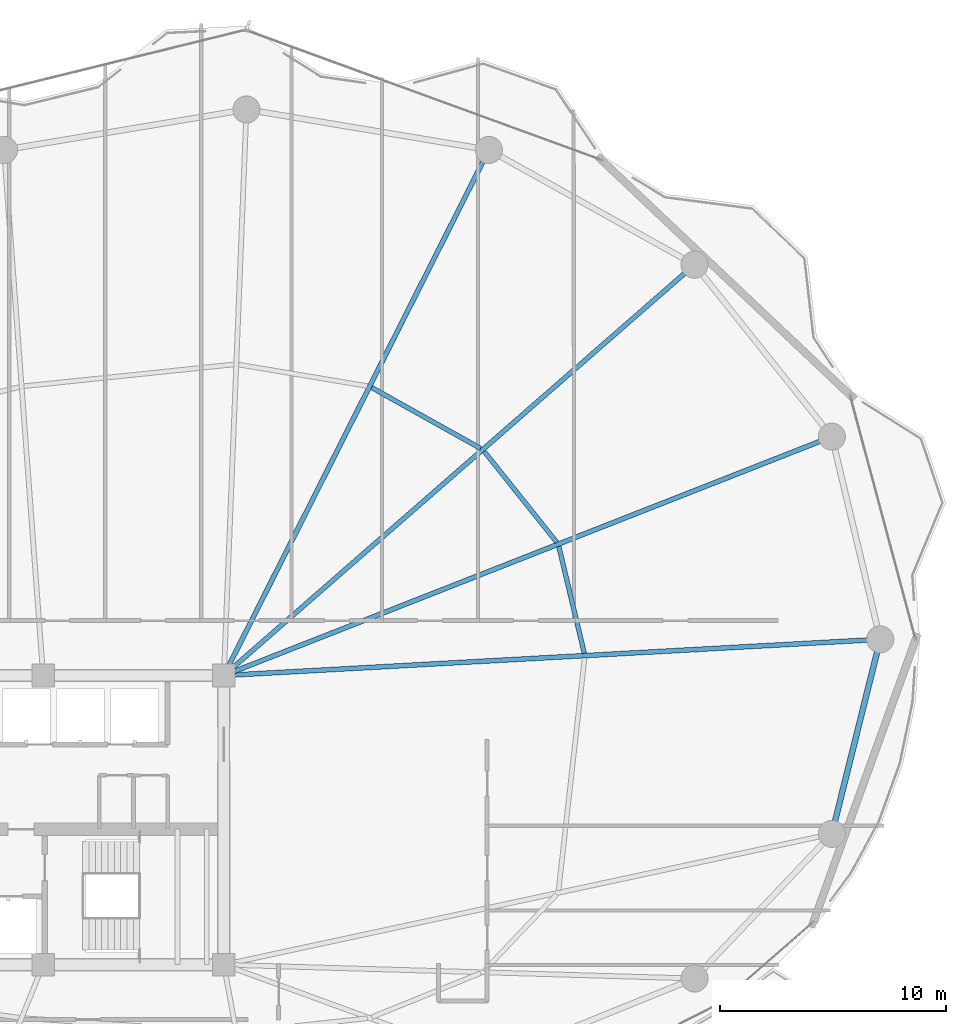
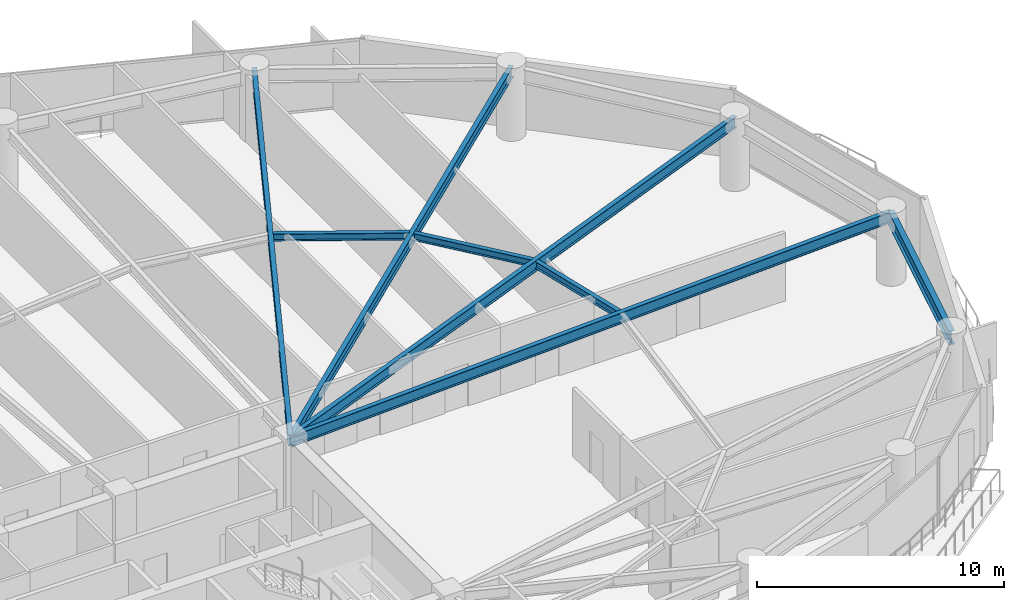
# One storey, part 14 of 28: 8 beams.
"""IFC4 building model written with IfcOpenShell, lengths in metres."""

from ifc_helpers import new_model, si_unit, direction, frame, origin, origin_2d, place, context, subcontext, project, spatial, i_section, extrude, material, material_profile, profile_set, type_object, element, save


model = new_model("IFC4")

# Units and contexts
model_context = context("Model", 3, precision=1e-05, world=origin(), true_north=direction((0.0, 1.0)))
body_context = subcontext(model_context, "Body", "Model", "MODEL_VIEW")
ifc_project = project(units=[si_unit("LENGTHUNIT", "METRE"), si_unit("AREAUNIT", "SQUARE_METRE"), si_unit("VOLUMEUNIT", "CUBIC_METRE"), si_unit("PLANEANGLEUNIT", "RADIAN"), si_unit("MASSUNIT", "GRAM", prefix="KILO")], contexts=[model_context])

# Site, building, storey
site_placement = place(None, origin())
site = spatial("IfcSite", under=ifc_project, at=site_placement, CompositionType="ELEMENT")
building_placement = place(site_placement, origin())
building = spatial("IfcBuilding", under=site, at=building_placement, Name="Kazevale Care Tower and Concert Hall", CompositionType="ELEMENT")
storey_placement = place(building_placement, frame((0.0, 0.0, 138.60009765625)))
storey = spatial("IfcBuildingStorey", under=building, at=storey_placement, Name="L36", CompositionType="ELEMENT", Elevation=138.60009765625)

# Beams
ifc_material = material(Name="Steel ASTM A572 Gr 50", Category="steel")
ifc_material_profile_1 = material_profile(ifc_material, i_section(OverallWidth=0.2119140625, OverallDepth=0.5439453125, WebThickness=0.01318359375, FlangeThickness=0.021240234375, at=origin_2d()), Name="W530x123")
ifc_profile_set_1 = profile_set([ifc_material_profile_1], Name="Steel ASTM A572 Gr 50")
beam_type_1 = type_object("IfcBeamType", Name="Radial Floor Girder W530x123", PredefinedType="BEAM", material=ifc_profile_set_1)
beam_1_placement = place(storey_placement, frame((44.0, 36.39990234375, 3.087890625), z_axis=(0.998486500016, 0.054997357076, 0.0), x_axis=(-0.054997357076, 0.998486500016, 0.0)))
element("IfcBeam", 1, at=beam_1_placement, inside=storey, type_object=beam_type_1, Name="beam:L36:rad:01", PredefinedType="BEAM", context=body_context, shape_type="SweptSolid", body=[
    extrude(i_section(OverallWidth=0.2119140625, OverallDepth=0.5439453125, WebThickness=0.01318359375, FlangeThickness=0.021240234375, at=origin_2d()), origin(), (0.0, 0.0, 1.0), 29.093994140625),
])
beam_2_placement = place(storey_placement, frame((44.0, 36.39990234375, 3.087890625), z_axis=(0.930771301513, 0.36560194786, 0.0), x_axis=(-0.36560194786, 0.930771301513, 0.0)))
element("IfcBeam", 2, at=beam_2_placement, inside=storey, type_object=beam_type_1, Name="beam:L36:rad:02", PredefinedType="BEAM", context=body_context, shape_type="SweptSolid", body=[
    extrude(i_section(OverallWidth=0.2119140625, OverallDepth=0.5439453125, WebThickness=0.01318359375, FlangeThickness=0.021240234375, at=origin_2d()), origin(), (0.0, 0.0, 1.0), 28.911376953125),
])
beam_3_placement = place(storey_placement, frame((44.0, 36.39990234375, 3.087890625), z_axis=(0.753403181998, 0.657558853149, 0.0), x_axis=(-0.657558853149, 0.753403181998, 0.0)))
element("IfcBeam", 3, at=beam_3_placement, inside=storey, type_object=beam_type_1, Name="beam:L36:rad:03", PredefinedType="BEAM", context=body_context, shape_type="SweptSolid", body=[
    extrude(i_section(OverallWidth=0.2119140625, OverallDepth=0.5439453125, WebThickness=0.01318359375, FlangeThickness=0.021240234375, at=origin_2d()), origin(), (0.0, 0.0, 1.0), 27.64794921875),
])
beam_4_placement = place(storey_placement, frame((44.0, 36.39990234375, 3.087890625), z_axis=(0.450281187568, 0.892886808124, 0.0), x_axis=(-0.892886808124, 0.450281187568, 0.0)))
element("IfcBeam", 4, at=beam_4_placement, inside=storey, type_object=beam_type_1, Name="beam:L36:rad:04", PredefinedType="BEAM", context=body_context, shape_type="SweptSolid", body=[
    extrude(i_section(OverallWidth=0.2119140625, OverallDepth=0.5439453125, WebThickness=0.01318359375, FlangeThickness=0.021240234375, at=origin_2d()), origin(), (0.0, 0.0, 1.0), 26.05029296875),
])
ifc_material_profile_2 = material_profile(ifc_material, i_section(OverallWidth=0.205078125, OverallDepth=0.35400390625, WebThickness=0.009521484375, FlangeThickness=0.016845703125, at=origin_2d()), Name="W360x79")
ifc_profile_set_2 = profile_set([ifc_material_profile_2], Name="Steel ASTM A572 Gr 50")
beam_type_2 = type_object("IfcBeamType", Name="Secondary Floor Joist W360x79", PredefinedType="JOIST", material=ifc_profile_set_2)
beam_5_placement = place(storey_placement, frame((59.952880859375, 37.382080078125, 3.182861328125), z_axis=(-0.232005223279, 0.972714540023, 0.0), x_axis=(-0.972714540023, -0.232005223279, 0.0)))
element("IfcBeam", 5, at=beam_5_placement, inside=storey, type_object=beam_type_2, Name="beam:L36:joist:01", PredefinedType="JOIST", context=body_context, shape_type="SweptSolid", body=[
    extrude(i_section(OverallWidth=0.205078125, OverallDepth=0.35400390625, WebThickness=0.009521484375, FlangeThickness=0.016845703125, at=origin_2d()), origin(), (0.0, 0.0, 1.0), 4.861572265625),
])
beam_6_placement = place(storey_placement, frame((58.735107421875, 42.2958984375, 3.182861328125), z_axis=(-0.624261115922, 0.781215757104, 0.0), x_axis=(-0.781215757104, -0.624261115922, 0.0)))
element("IfcBeam", 6, at=beam_6_placement, inside=storey, type_object=beam_type_2, Name="beam:L36:joist:02", PredefinedType="JOIST", context=body_context, shape_type="SweptSolid", body=[
    extrude(i_section(OverallWidth=0.205078125, OverallDepth=0.35400390625, WebThickness=0.009521484375, FlangeThickness=0.016845703125, at=origin_2d()), origin(), (0.0, 0.0, 1.0), 5.147216796875),
])
beam_7_placement = place(storey_placement, frame((55.364990234375, 46.449951171875, 3.182861328125), z_axis=(-0.873137755824, 0.487473547338, 0.0), x_axis=(-0.487473547338, -0.873137755824, 0.0)))
element("IfcBeam", 7, at=beam_7_placement, inside=storey, type_object=beam_type_2, Name="beam:L36:joist:03", PredefinedType="JOIST", context=body_context, shape_type="SweptSolid", body=[
    extrude(i_section(OverallWidth=0.205078125, OverallDepth=0.35400390625, WebThickness=0.009521484375, FlangeThickness=0.016845703125, at=origin_2d()), origin(), (0.0, 0.0, 1.0), 5.522705078125),
])
ifc_material_profile_3 = material_profile(ifc_material, i_section(OverallWidth=0.256103515625, OverallDepth=0.693115234375, WebThickness=0.014404296875, FlangeThickness=0.023681640625, at=origin_2d()), Name="W690x170")
ifc_profile_set_3 = profile_set([ifc_material_profile_3], Name="Steel ASTM A572 Gr 50")
beam_type_3 = type_object("IfcBeamType", Name="Waist Ring Beam W690x170", PredefinedType="BEAM", material=ifc_profile_set_3)
beam_8_placement = place(storey_placement, frame((70.909912109375, 29.389892578125, 3.013427734375), z_axis=(0.241221022882, 0.970470204653, 0.0), x_axis=(-0.970470204653, 0.241221022882, 0.0)))
element("IfcBeam", 8, at=beam_8_placement, inside=storey, type_object=beam_type_3, Name="beam:L36:ring:16", PredefinedType="BEAM", context=body_context, shape_type="SweptSolid", body=[
    extrude(i_section(OverallWidth=0.256103515625, OverallDepth=0.693115234375, WebThickness=0.014404296875, FlangeThickness=0.023681640625, at=origin_2d()), origin(), (0.0, 0.0, 1.0), 8.8720703125),
])

save(model, "model.ifc")
